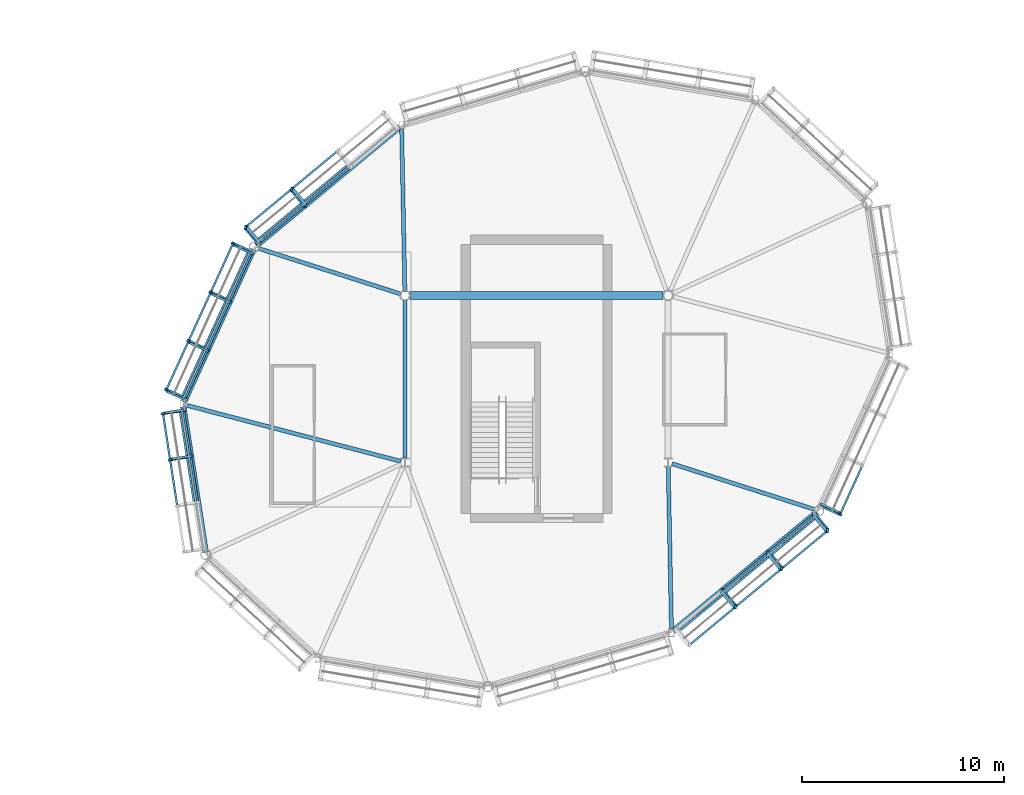
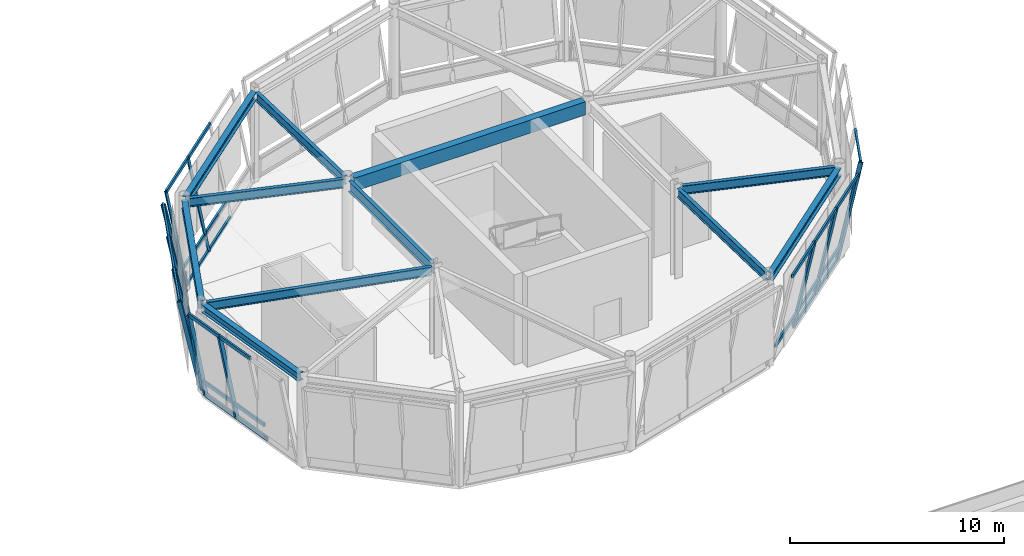
# One storey, part 54 of 90: 42 members, 11 beams, 5 elements without a shape of their own.
"""IFC4 building model written with IfcOpenShell, lengths in metres."""

from ifc_helpers import new_model, si_unit, direction, frame, origin, origin_2d, place, context, subcontext, project, spatial, rectangle, hollow_rectangle, i_section, extrude, material, material_profile, profile_set, type_object, element, aggregate, save


model = new_model("IFC4")

# Units and contexts
model_context = context("Model", 3, precision=1e-05, world=origin(), true_north=direction((0.0, 1.0)))
body_context = subcontext(model_context, "Body", "Model", "MODEL_VIEW")
ifc_project = project(units=[si_unit("LENGTHUNIT", "METRE"), si_unit("AREAUNIT", "SQUARE_METRE"), si_unit("VOLUMEUNIT", "CUBIC_METRE"), si_unit("PLANEANGLEUNIT", "RADIAN"), si_unit("MASSUNIT", "GRAM", prefix="KILO")], contexts=[model_context])

# Site, building, storey
site_placement = place(None, origin())
site = spatial("IfcSite", under=ifc_project, at=site_placement, CompositionType="ELEMENT")
building_placement = place(site_placement, origin())
building = spatial("IfcBuilding", under=site, at=building_placement, Name="Linyun Crest Stadium", CompositionType="ELEMENT")
storey_placement = place(building_placement, frame((0.0, 0.0, 21.0)))
storey = spatial("IfcBuildingStorey", under=building, at=storey_placement, Name="L05", CompositionType="ELEMENT", Elevation=21.0)

# Beams
ifc_material_1 = material(Name="Concrete C40", Category="concrete")
ifc_material_profile_1 = material_profile(ifc_material_1, rectangle(XDim=0.39990234375, YDim=0.75, at=origin_2d()), Name="RCB 750x400")
ifc_profile_set_1 = profile_set([ifc_material_profile_1], Name="Concrete C40")
beam_type_1 = type_object("IfcBeamType", Name="B03", PredefinedType="BEAM", material=ifc_profile_set_1)
beam_1_placement = place(storey_placement, frame((67.25390625, 88.75, 4.77490234375), z_axis=(1.0, 0.0, 0.0), x_axis=(0.0, 1.0, 0.0)))
element("IfcBeam", 1, at=beam_1_placement, inside=storey, type_object=beam_type_1, Name="Frame beam B03 L05 978", PredefinedType="BEAM", context=body_context, shape_type="SweptSolid", body=[
    extrude(rectangle(XDim=0.39990234375, YDim=0.75, at=origin_2d()), origin(), (0.0, 0.0, 1.0), 12.4921875),
])
ifc_material_2 = material(Name="Steel Q355C", Category="steel")
ifc_material_profile_2 = material_profile(ifc_material_2, i_section(OverallWidth=0.300048828125, OverallDepth=0.43994140625, WebThickness=0.010986328125, FlangeThickness=0.01806640625, at=origin_2d()), Name="HM 440x300")
ifc_profile_set_2 = profile_set([ifc_material_profile_2], Name="Steel Q355C")
beam_type_2 = type_object("IfcBeamType", Name="B07", PredefinedType="BEAM", material=ifc_profile_set_2)
beam_2_placement = place(storey_placement, frame((66.741943359375, 97.0859375, 4.929931640625), z_axis=(-0.770371409823, -0.637595397512, 0.0), x_axis=(0.637595397512, -0.770371409823, 0.0)))
element("IfcBeam", 2, at=beam_2_placement, inside=storey, type_object=beam_type_2, Name="Pod ring girder B07 L05 151", PredefinedType="BEAM", context=body_context, shape_type="SweptSolid", body=[
    extrude(i_section(OverallWidth=0.300048828125, OverallDepth=0.43994140625, WebThickness=0.010986328125, FlangeThickness=0.01806640625, at=origin_2d()), origin(), (0.0, 0.0, 1.0), 9.204833984375),
])
beam_3_placement = place(storey_placement, frame((59.509033203125, 91.031005859375, 4.929931640625), z_axis=(-0.41441702614, -0.910087099373, 0.0), x_axis=(0.910087099373, -0.41441702614, 0.0)))
element("IfcBeam", 3, at=beam_3_placement, inside=storey, type_object=beam_type_2, Name="Pod ring girder B07 L05 153", PredefinedType="BEAM", context=body_context, shape_type="SweptSolid", body=[
    extrude(i_section(OverallWidth=0.300048828125, OverallDepth=0.43994140625, WebThickness=0.010986328125, FlangeThickness=0.01806640625, at=origin_2d()), origin(), (0.0, 0.0, 1.0), 8.2958984375),
])
beam_4_placement = place(storey_placement, frame((56.0390625, 83.2529296875, 4.929931640625), z_axis=(0.152213453027, -0.988347643655, 0.0), x_axis=(0.988347643655, 0.152213453027, 0.0)))
element("IfcBeam", 4, at=beam_4_placement, inside=storey, type_object=beam_type_2, Name="Pod ring girder B07 L05 155", PredefinedType="BEAM", context=body_context, shape_type="SweptSolid", body=[
    extrude(i_section(OverallWidth=0.300048828125, OverallDepth=0.43994140625, WebThickness=0.010986328125, FlangeThickness=0.01806640625, at=origin_2d()), origin(), (0.0, 0.0, 1.0), 7.278564453125),
])
beam_5_placement = place(storey_placement, frame((80.258056640625, 72.1640625, 4.929931640625), z_axis=(0.770371409823, 0.637595397512, 0.0), x_axis=(-0.637595397512, 0.770371409823, 0.0)))
element("IfcBeam", 5, at=beam_5_placement, inside=storey, type_object=beam_type_2, Name="Pod ring girder B07 L05 163", PredefinedType="BEAM", context=body_context, shape_type="SweptSolid", body=[
    extrude(i_section(OverallWidth=0.300048828125, OverallDepth=0.43994140625, WebThickness=0.010986328125, FlangeThickness=0.01806640625, at=origin_2d()), origin(), (0.0, 0.0, 1.0), 9.204833984375),
])
ifc_material_3 = material(Name="Steel Q355C", Category="steel")
ifc_material_profile_3 = material_profile(ifc_material_3, i_section(OverallWidth=0.199951171875, OverallDepth=0.5, WebThickness=0.010009765625, FlangeThickness=0.01611328125, at=origin_2d()), Name="HN 500x200")
ifc_profile_set_3 = profile_set([ifc_material_profile_3], Name="Steel Q355C")
beam_type_3 = type_object("IfcBeamType", Name="B10", PredefinedType="BEAM", material=ifc_profile_set_3)
beam_6_placement = place(storey_placement, frame((66.99609375, 88.949951171875, 4.89990234375), z_axis=(-0.01978842746, 0.999804189899, 0.0), x_axis=(-0.999804189899, -0.01978842746, 0.0)))
element("IfcBeam", 6, at=beam_6_placement, inside=storey, type_object=beam_type_3, Name="Pod radial tie girder B10 L05 152", PredefinedType="BEAM", context=body_context, shape_type="SweptSolid", body=[
    extrude(i_section(OverallWidth=0.199951171875, OverallDepth=0.5, WebThickness=0.010009765625, FlangeThickness=0.01611328125, at=origin_2d()), origin(), (0.0, 0.0, 1.0), 7.99462890625),
])
beam_7_placement = place(storey_placement, frame((66.81005859375, 88.81103515625, 4.89990234375), z_axis=(-0.952088987816, 0.305821123011, 0.0), x_axis=(-0.305821123011, -0.952088987816, 0.0)))
element("IfcBeam", 7, at=beam_7_placement, inside=storey, type_object=beam_type_3, Name="Pod radial tie girder B10 L05 154", PredefinedType="BEAM", context=body_context, shape_type="SweptSolid", body=[
    extrude(i_section(OverallWidth=0.199951171875, OverallDepth=0.5, WebThickness=0.010009765625, FlangeThickness=0.01611328125, at=origin_2d()), origin(), (0.0, 0.0, 1.0), 7.396240234375),
])
beam_8_placement = place(storey_placement, frame((66.806884765625, 80.551025390625, 4.89990234375), z_axis=(-0.967466930693, 0.252997505948, 0.0), x_axis=(-0.252997505948, -0.967466930693, 0.0)))
element("IfcBeam", 8, at=beam_8_placement, inside=storey, type_object=beam_type_3, Name="Pod radial tie girder B10 L05 156", PredefinedType="BEAM", context=body_context, shape_type="SweptSolid", body=[
    extrude(i_section(OverallWidth=0.199951171875, OverallDepth=0.5, WebThickness=0.010009765625, FlangeThickness=0.01611328125, at=origin_2d()), origin(), (0.0, 0.0, 1.0), 10.928466796875),
])
beam_9_placement = place(storey_placement, frame((80.00390625, 80.300048828125, 4.89990234375), z_axis=(0.01978842746, -0.999804189899, 0.0), x_axis=(0.999804189899, 0.01978842746, 0.0)))
element("IfcBeam", 9, at=beam_9_placement, inside=storey, type_object=beam_type_3, Name="Pod radial tie girder B10 L05 164", PredefinedType="BEAM", context=body_context, shape_type="SweptSolid", body=[
    extrude(i_section(OverallWidth=0.199951171875, OverallDepth=0.5, WebThickness=0.010009765625, FlangeThickness=0.01611328125, at=origin_2d()), origin(), (0.0, 0.0, 1.0), 7.99462890625),
])
beam_10_placement = place(storey_placement, frame((80.18994140625, 80.43896484375, 4.89990234375), z_axis=(0.952088987816, -0.305821123011, 0.0), x_axis=(0.305821123011, 0.952088987816, 0.0)))
element("IfcBeam", 10, at=beam_10_placement, inside=storey, type_object=beam_type_3, Name="Pod radial tie girder B10 L05 166", PredefinedType="BEAM", context=body_context, shape_type="SweptSolid", body=[
    extrude(i_section(OverallWidth=0.199951171875, OverallDepth=0.5, WebThickness=0.010009765625, FlangeThickness=0.01611328125, at=origin_2d()), origin(), (0.0, 0.0, 1.0), 7.396240234375),
])
ifc_material_4 = material(Name="Steel Q355C", Category="steel")
ifc_material_profile_4 = material_profile(ifc_material_4, i_section(OverallWidth=0.199951171875, OverallDepth=0.60009765625, WebThickness=0.010986328125, FlangeThickness=0.01708984375, at=origin_2d()), Name="HN 600x200")
ifc_profile_set_4 = profile_set([ifc_material_profile_4], Name="Steel Q355C")
beam_type_4 = type_object("IfcBeamType", Name="B11", PredefinedType="BEAM", material=ifc_profile_set_4)
beam_11_placement = place(storey_placement, frame((67.0, 80.714111328125, 4.85009765625), z_axis=(0.0, 1.0, 0.0), x_axis=(-1.0, 0.0, 0.0)))
element("IfcBeam", 11, at=beam_11_placement, inside=storey, type_object=beam_type_4, Name="Frame beam B11 L05 981", PredefinedType="BEAM", context=body_context, shape_type="SweptSolid", body=[
    extrude(i_section(OverallWidth=0.199951171875, OverallDepth=0.60009765625, WebThickness=0.010986328125, FlangeThickness=0.01708984375, at=origin_2d()), origin(), (0.0, 0.0, 1.0), 7.781982421875),
])

# Curtain wall, members
ifc_material_5 = material(Name="Verdigris steel and low-E curtain wall assembly", Category="steel")
curtain_wall_type = type_object("IfcCurtainWallType", Name="MCW04", PredefinedType="NOTDEFINED", material=ifc_material_5)
curtain_wall_1_placement = place(storey_placement, origin())
curtain_wall_1 = element("IfcCurtainWall", 12, at=curtain_wall_1_placement, inside=storey, type_object=curtain_wall_type, Name="CWR-052", PredefinedType="NOTDEFINED")
ifc_material_6 = material(Name="Verdigris painted steel Q355C pod mullion", Category="steel")
ifc_material_profile_5 = material_profile(ifc_material_6, hollow_rectangle(XDim=0.1201171875, YDim=0.219970703125, WallThickness=0.008056640625, at=origin_2d()), Name="RHS 220x120x8")
ifc_profile_set_5 = profile_set([ifc_material_profile_5], Name="Verdigris painted steel Q355C pod mullion")
member_type_1 = type_object("IfcMemberType", Name="ML04", PredefinedType="MULLION", material=ifc_profile_set_5)
member_1_placement = place(storey_placement, frame((62.06103515625, 93.2109375, 0.0), z_axis=(-0.127228985463, 0.153563636115, 0.979913769125), x_axis=(-0.972618583127, 0.174402528684, -0.153612661409)))
member_1 = element("IfcMember", 13, at=member_1_placement, type_object=member_type_1, Name="CWR-052 mullion 3", PredefinedType="MULLION", context=body_context, shape_type="SweptSolid", body=[
    extrude(hollow_rectangle(XDim=0.1201171875, YDim=0.219970703125, WallThickness=0.008056640625, at=origin_2d()), origin(), (0.0, 0.0, 1.0), 5.163818359375),
])
member_2_placement = place(storey_placement, frame((59.7900390625, 91.3310546875, 0.0), z_axis=(-0.127228985463, 0.153563636115, 0.979913769125), x_axis=(-0.972618583127, 0.174402528684, -0.153612661409)))
member_2 = element("IfcMember", 14, at=member_2_placement, type_object=member_type_1, Name="CWR-052 mullion 4", PredefinedType="MULLION", context=body_context, shape_type="SweptSolid", body=[
    extrude(hollow_rectangle(XDim=0.1201171875, YDim=0.219970703125, WallThickness=0.008056640625, at=origin_2d()), origin(), (0.0, 0.0, 1.0), 5.163818359375),
])

curtain_wall_2_placement = place(storey_placement, origin())
curtain_wall_2 = element("IfcCurtainWall", 15, at=curtain_wall_2_placement, inside=storey, type_object=curtain_wall_type, Name="CWR-053", PredefinedType="NOTDEFINED")
member_3_placement = place(storey_placement, frame((59.43505859375, 90.866943359375, 0.0), z_axis=(-0.181458861331, 0.08269190945, 0.979915674819), x_axis=(-0.747008040281, -0.659655798184, -0.082663266794)))
member_3 = element("IfcMember", 16, at=member_3_placement, type_object=member_type_1, Name="CWR-053 mullion 1", PredefinedType="MULLION", context=body_context, shape_type="SweptSolid", body=[
    extrude(hollow_rectangle(XDim=0.1201171875, YDim=0.219970703125, WallThickness=0.008056640625, at=origin_2d()), origin(), (0.0, 0.0, 1.0), 5.163818359375),
])
member_4_placement = place(storey_placement, frame((58.337890625, 88.4599609375, 0.0), z_axis=(-0.181461695905, 0.082504080082, 0.979930982105), x_axis=(-0.746444035953, -0.66029784239, -0.082632079273)))
member_4 = element("IfcMember", 17, at=member_4_placement, type_object=member_type_1, Name="CWR-053 mullion 2", PredefinedType="MULLION", context=body_context, shape_type="SweptSolid", body=[
    extrude(hollow_rectangle(XDim=0.1201171875, YDim=0.219970703125, WallThickness=0.008056640625, at=origin_2d()), origin(), (0.0, 0.0, 1.0), 5.16357421875),
])
member_5_placement = place(storey_placement, frame((57.241943359375, 86.052001953125, 0.0), z_axis=(-0.181458861331, 0.08269190945, 0.979915674819), x_axis=(-0.747008040281, -0.659655798184, -0.082663266794)))
member_5 = element("IfcMember", 18, at=member_5_placement, type_object=member_type_1, Name="CWR-053 mullion 3", PredefinedType="MULLION", context=body_context, shape_type="SweptSolid", body=[
    extrude(hollow_rectangle(XDim=0.1201171875, YDim=0.219970703125, WallThickness=0.008056640625, at=origin_2d()), origin(), (0.0, 0.0, 1.0), 5.163818359375),
])
member_6_placement = place(storey_placement, frame((56.14501953125, 83.64501953125, 0.0), z_axis=(-0.181458861331, 0.08269190945, 0.979915674819), x_axis=(-0.747008040281, -0.659655798184, -0.082663266794)))
member_6 = element("IfcMember", 19, at=member_6_placement, type_object=member_type_1, Name="CWR-053 mullion 4", PredefinedType="MULLION", context=body_context, shape_type="SweptSolid", body=[
    extrude(hollow_rectangle(XDim=0.1201171875, YDim=0.219970703125, WallThickness=0.008056640625, at=origin_2d()), origin(), (0.0, 0.0, 1.0), 5.163818359375),
])

curtain_wall_3_placement = place(storey_placement, origin())
curtain_wall_3 = element("IfcCurtainWall", 20, at=curtain_wall_3_placement, inside=storey, type_object=curtain_wall_type, Name="CWR-054", PredefinedType="NOTDEFINED")
member_7_placement = place(storey_placement, frame((56.06689453125, 83.074951171875, 0.0), z_axis=(-0.196925558343, -0.030401712849, 0.97994696812), x_axis=(0.298126026527, -0.954045105123, 0.030311873873)))
member_7 = element("IfcMember", 21, at=member_7_placement, type_object=member_type_1, Name="CWR-054 mullion 1", PredefinedType="MULLION", context=body_context, shape_type="SweptSolid", body=[
    extrude(hollow_rectangle(XDim=0.1201171875, YDim=0.219970703125, WallThickness=0.008056640625, at=origin_2d()), origin(), (0.0, 0.0, 1.0), 5.16357421875),
])
member_8_placement = place(storey_placement, frame((56.41796875, 80.7958984375, 0.0), z_axis=(-0.197152779984, -0.03040029677, 0.979901323247), x_axis=(0.297946662121, -0.954100050656, 0.030346002532)))
member_8 = element("IfcMember", 22, at=member_8_placement, type_object=member_type_1, Name="CWR-054 mullion 2", PredefinedType="MULLION", context=body_context, shape_type="SweptSolid", body=[
    extrude(hollow_rectangle(XDim=0.1201171875, YDim=0.219970703125, WallThickness=0.008056640625, at=origin_2d()), origin(), (0.0, 0.0, 1.0), 5.163818359375),
])

curtain_wall_4_placement = place(storey_placement, origin())
curtain_wall_4 = element("IfcCurtainWall", 23, at=curtain_wall_4_placement, inside=storey, type_object=curtain_wall_type, Name="CWR-058", PredefinedType="NOTDEFINED")
member_9_placement = place(storey_placement, frame((82.66796875, 74.157958984375, 0.0), z_axis=(0.127228985463, -0.153563636115, 0.979913769125), x_axis=(-0.972618583127, 0.174402528684, 0.153612661409)))
member_9 = element("IfcMember", 24, at=member_9_placement, type_object=member_type_1, Name="CWR-058 mullion 2", PredefinedType="MULLION", context=body_context, shape_type="SweptSolid", body=[
    extrude(hollow_rectangle(XDim=0.1201171875, YDim=0.219970703125, WallThickness=0.008056640625, at=origin_2d()), origin(), (0.0, 0.0, 1.0), 5.163818359375),
])
member_10_placement = place(storey_placement, frame((84.93896484375, 76.0390625, 0.0), z_axis=(0.127228985463, -0.153563636115, 0.979913769125), x_axis=(-0.972618583127, 0.174402528684, 0.153612661409)))
member_10 = element("IfcMember", 25, at=member_10_placement, type_object=member_type_1, Name="CWR-058 mullion 3", PredefinedType="MULLION", context=body_context, shape_type="SweptSolid", body=[
    extrude(hollow_rectangle(XDim=0.1201171875, YDim=0.219970703125, WallThickness=0.008056640625, at=origin_2d()), origin(), (0.0, 0.0, 1.0), 5.163818359375),
])
member_11_placement = place(storey_placement, frame((87.2099609375, 77.9189453125, 0.0), z_axis=(0.127228985463, -0.153563636115, 0.979913769125), x_axis=(-0.972618583127, 0.174402528684, 0.153612661409)))
member_11 = element("IfcMember", 26, at=member_11_placement, type_object=member_type_1, Name="CWR-058 mullion 4", PredefinedType="MULLION", context=body_context, shape_type="SweptSolid", body=[
    extrude(hollow_rectangle(XDim=0.1201171875, YDim=0.219970703125, WallThickness=0.008056640625, at=origin_2d()), origin(), (0.0, 0.0, 1.0), 5.163818359375),
])

# Curtain wall, member
curtain_wall_5_placement = place(storey_placement, origin())
curtain_wall_5 = element("IfcCurtainWall", 27, at=curtain_wall_5_placement, inside=storey, type_object=curtain_wall_type, Name="CWR-059", PredefinedType="NOTDEFINED")
member_12_placement = place(storey_placement, frame((87.56494140625, 78.383056640625, 0.0), z_axis=(0.181458861331, -0.08269190945, 0.979915674819), x_axis=(-0.747008040281, -0.659655798184, 0.082663266794)))
member_12 = element("IfcMember", 28, at=member_12_placement, type_object=member_type_1, Name="CWR-059 mullion 1", PredefinedType="MULLION", context=body_context, shape_type="SweptSolid", body=[
    extrude(hollow_rectangle(XDim=0.1201171875, YDim=0.219970703125, WallThickness=0.008056640625, at=origin_2d()), origin(), (0.0, 0.0, 1.0), 5.163818359375),
])

# Member
ifc_material_7 = material(Name="Verdigris painted steel Q355C transom", Category="steel")
ifc_material_profile_6 = material_profile(ifc_material_7, hollow_rectangle(XDim=0.10009765625, YDim=0.199951171875, WallThickness=0.008056640625, at=origin_2d()), Name="RHS 200x100x8")
ifc_profile_set_6 = profile_set([ifc_material_profile_6], Name="Verdigris painted steel Q355C transom")
member_type_2 = type_object("IfcMemberType", Name="TR03", PredefinedType="USERDEFINED", material=ifc_profile_set_6)
member_13_placement = place(storey_placement, frame((64.33203125, 95.092041015625, 0.0), z_axis=(-0.770118007544, -0.637901445724, 0.0), x_axis=(0.637901445724, -0.770118007544, 0.0)))
member_13 = element("IfcMember", 29, at=member_13_placement, type_object=member_type_2, Name="CWR-052 transom 2.1", ObjectType="TRANSOM", PredefinedType="USERDEFINED", context=body_context, shape_type="SweptSolid", body=[
    extrude(hollow_rectangle(XDim=0.10009765625, YDim=0.199951171875, WallThickness=0.008056640625, at=origin_2d()), origin(), (0.0, 0.0, 1.0), 2.948974609375),
])

member_14_placement = place(storey_placement, frame((64.215087890625, 95.23291015625, 0.89990234375), z_axis=(-0.770158679778, -0.63785234025, 0.0), x_axis=(0.63785234025, -0.770158679778, 0.0)))
member_14 = element("IfcMember", 30, at=member_14_placement, type_object=member_type_2, Name="CWR-052 transom 2.2", ObjectType="TRANSOM", PredefinedType="USERDEFINED", context=body_context, shape_type="SweptSolid", body=[
    extrude(hollow_rectangle(XDim=0.10009765625, YDim=0.199951171875, WallThickness=0.008056640625, at=origin_2d()), origin(), (0.0, 0.0, 1.0), 2.94873046875),
])

member_15_placement = place(storey_placement, frame((63.675048828125, 95.885009765625, 5.06005859375), z_axis=(-0.770118007544, -0.637901445724, 0.0), x_axis=(0.637901445724, -0.770118007544, 0.0)))
member_15 = element("IfcMember", 31, at=member_15_placement, type_object=member_type_2, Name="CWR-052 transom 2.3", ObjectType="TRANSOM", PredefinedType="USERDEFINED", context=body_context, shape_type="SweptSolid", body=[
    extrude(hollow_rectangle(XDim=0.10009765625, YDim=0.199951171875, WallThickness=0.008056640625, at=origin_2d()), origin(), (0.0, 0.0, 1.0), 2.948974609375),
])

member_16_placement = place(storey_placement, frame((62.06103515625, 93.2109375, 0.0), z_axis=(-0.770321380351, -0.63765584054, 0.0), x_axis=(0.63765584054, -0.770321380351, 0.0)))
member_16 = element("IfcMember", 32, at=member_16_placement, type_object=member_type_2, Name="CWR-052 transom 3.1", ObjectType="TRANSOM", PredefinedType="USERDEFINED", context=body_context, shape_type="SweptSolid", body=[
    extrude(hollow_rectangle(XDim=0.10009765625, YDim=0.199951171875, WallThickness=0.008056640625, at=origin_2d()), origin(), (0.0, 0.0, 1.0), 2.947998046875),
])

member_17_placement = place(storey_placement, frame((61.944091796875, 93.35205078125, 0.89990234375), z_axis=(-0.770280703464, -0.637704977142, 0.0), x_axis=(0.637704977142, -0.770280703464, 0.0)))
member_17 = element("IfcMember", 33, at=member_17_placement, type_object=member_type_2, Name="CWR-052 transom 3.2", ObjectType="TRANSOM", PredefinedType="USERDEFINED", context=body_context, shape_type="SweptSolid", body=[
    extrude(hollow_rectangle(XDim=0.10009765625, YDim=0.199951171875, WallThickness=0.008056640625, at=origin_2d()), origin(), (0.0, 0.0, 1.0), 2.9482421875),
])

member_18_placement = place(storey_placement, frame((61.404052734375, 94.00390625, 5.06005859375), z_axis=(-0.770321380351, -0.63765584054, 0.0), x_axis=(0.63765584054, -0.770321380351, 0.0)))
member_18 = element("IfcMember", 34, at=member_18_placement, type_object=member_type_2, Name="CWR-052 transom 3.3", ObjectType="TRANSOM", PredefinedType="USERDEFINED", context=body_context, shape_type="SweptSolid", body=[
    extrude(hollow_rectangle(XDim=0.10009765625, YDim=0.199951171875, WallThickness=0.008056640625, at=origin_2d()), origin(), (0.0, 0.0, 1.0), 2.947998046875),
])

aggregate(curtain_wall_1, [member_1, member_2, member_13, member_14, member_15, member_16, member_17, member_18])

member_19_placement = place(storey_placement, frame((59.43505859375, 90.866943359375, 0.0), z_axis=(-0.414769269545, -0.909926619591, 0.0), x_axis=(0.909926619591, -0.414769269545, 0.0)))
member_19 = element("IfcMember", 35, at=member_19_placement, type_object=member_type_2, Name="CWR-053 transom 1.1", ObjectType="TRANSOM", PredefinedType="USERDEFINED", context=body_context, shape_type="SweptSolid", body=[
    extrude(hollow_rectangle(XDim=0.10009765625, YDim=0.199951171875, WallThickness=0.008056640625, at=origin_2d()), origin(), (0.0, 0.0, 1.0), 2.645263671875),
])

member_20_placement = place(storey_placement, frame((59.26806640625, 90.943115234375, 0.89990234375), z_axis=(-0.414352266897, -0.910116585343, 0.0), x_axis=(0.910116585343, -0.414352266897, 0.0)))
member_20 = element("IfcMember", 36, at=member_20_placement, type_object=member_type_2, Name="CWR-053 transom 1.2", ObjectType="TRANSOM", PredefinedType="USERDEFINED", context=body_context, shape_type="SweptSolid", body=[
    extrude(hollow_rectangle(XDim=0.10009765625, YDim=0.199951171875, WallThickness=0.008056640625, at=origin_2d()), origin(), (0.0, 0.0, 1.0), 2.64501953125),
])

member_21_placement = place(storey_placement, frame((58.498046875, 91.2939453125, 5.06005859375), z_axis=(-0.414629980899, -0.909990098265, 0.0), x_axis=(0.909990098265, -0.414629980899, 0.0)))
member_21 = element("IfcMember", 37, at=member_21_placement, type_object=member_type_2, Name="CWR-053 transom 1.3", ObjectType="TRANSOM", PredefinedType="USERDEFINED", context=body_context, shape_type="SweptSolid", body=[
    extrude(hollow_rectangle(XDim=0.10009765625, YDim=0.199951171875, WallThickness=0.008056640625, at=origin_2d()), origin(), (0.0, 0.0, 1.0), 2.646240234375),
])

member_22_placement = place(storey_placement, frame((58.337890625, 88.4599609375, 0.0), z_axis=(-0.414247864609, -0.910164109744, 0.0), x_axis=(0.910164109744, -0.414247864609, 0.0)))
member_22 = element("IfcMember", 38, at=member_22_placement, type_object=member_type_2, Name="CWR-053 transom 2.1", ObjectType="TRANSOM", PredefinedType="USERDEFINED", context=body_context, shape_type="SweptSolid", body=[
    extrude(hollow_rectangle(XDim=0.10009765625, YDim=0.199951171875, WallThickness=0.008056640625, at=origin_2d()), origin(), (0.0, 0.0, 1.0), 2.645751953125),
])

member_23_placement = place(storey_placement, frame((58.172119140625, 88.535888671875, 0.89990234375), z_axis=(-0.414629980899, -0.909990098265, 0.0), x_axis=(0.909990098265, -0.414629980899, 0.0)))
member_23 = element("IfcMember", 39, at=member_23_placement, type_object=member_type_2, Name="CWR-053 transom 2.2", ObjectType="TRANSOM", PredefinedType="USERDEFINED", context=body_context, shape_type="SweptSolid", body=[
    extrude(hollow_rectangle(XDim=0.10009765625, YDim=0.199951171875, WallThickness=0.008056640625, at=origin_2d()), origin(), (0.0, 0.0, 1.0), 2.646240234375),
])

member_24_placement = place(storey_placement, frame((57.40087890625, 88.885986328125, 5.06005859375), z_axis=(-0.414387078143, -0.91010073589, 0.0), x_axis=(0.91010073589, -0.414387078143, 0.0)))
member_24 = element("IfcMember", 40, at=member_24_placement, type_object=member_type_2, Name="CWR-053 transom 2.3", ObjectType="TRANSOM", PredefinedType="USERDEFINED", context=body_context, shape_type="SweptSolid", body=[
    extrude(hollow_rectangle(XDim=0.10009765625, YDim=0.199951171875, WallThickness=0.008056640625, at=origin_2d()), origin(), (0.0, 0.0, 1.0), 2.644775390625),
])

member_25_placement = place(storey_placement, frame((57.241943359375, 86.052001953125, 0.0), z_axis=(-0.414692848815, -0.90996145036, 0.0), x_axis=(0.90996145036, -0.414692848815, 0.0)))
member_25 = element("IfcMember", 41, at=member_25_placement, type_object=member_type_2, Name="CWR-053 transom 3.1", ObjectType="TRANSOM", PredefinedType="USERDEFINED", context=body_context, shape_type="SweptSolid", body=[
    extrude(hollow_rectangle(XDim=0.10009765625, YDim=0.199951171875, WallThickness=0.008056640625, at=origin_2d()), origin(), (0.0, 0.0, 1.0), 2.645263671875),
])

member_26_placement = place(storey_placement, frame((57.074951171875, 86.1279296875, 0.89990234375), z_axis=(-0.414692848815, -0.90996145036, 0.0), x_axis=(0.90996145036, -0.414692848815, 0.0)))
member_26 = element("IfcMember", 42, at=member_26_placement, type_object=member_type_2, Name="CWR-053 transom 3.2", ObjectType="TRANSOM", PredefinedType="USERDEFINED", context=body_context, shape_type="SweptSolid", body=[
    extrude(hollow_rectangle(XDim=0.10009765625, YDim=0.199951171875, WallThickness=0.008056640625, at=origin_2d()), origin(), (0.0, 0.0, 1.0), 2.645263671875),
])

member_27_placement = place(storey_placement, frame((56.304931640625, 86.47900390625, 5.06005859375), z_axis=(-0.414692848815, -0.90996145036, 0.0), x_axis=(0.90996145036, -0.414692848815, 0.0)))
member_27 = element("IfcMember", 43, at=member_27_placement, type_object=member_type_2, Name="CWR-053 transom 3.3", ObjectType="TRANSOM", PredefinedType="USERDEFINED", context=body_context, shape_type="SweptSolid", body=[
    extrude(hollow_rectangle(XDim=0.10009765625, YDim=0.199951171875, WallThickness=0.008056640625, at=origin_2d()), origin(), (0.0, 0.0, 1.0), 2.645263671875),
])

aggregate(curtain_wall_2, [member_3, member_4, member_5, member_6, member_19, member_20, member_21, member_22, member_23, member_24, member_25, member_26, member_27])

member_28_placement = place(storey_placement, frame((56.06689453125, 83.074951171875, 0.0), z_axis=(0.152248123454, -0.988342303509, 0.0), x_axis=(0.988342303509, 0.152248123454, 0.0)))
member_28 = element("IfcMember", 44, at=member_28_placement, type_object=member_type_2, Name="CWR-054 transom 1.1", ObjectType="TRANSOM", PredefinedType="USERDEFINED", context=body_context, shape_type="SweptSolid", body=[
    extrude(hollow_rectangle(XDim=0.10009765625, YDim=0.199951171875, WallThickness=0.008056640625, at=origin_2d()), origin(), (0.0, 0.0, 1.0), 2.305908203125),
])

member_29_placement = place(storey_placement, frame((55.885986328125, 83.047119140625, 0.89990234375), z_axis=(0.152248123454, -0.988342303509, 0.0), x_axis=(0.988342303509, 0.152248123454, 0.0)))
member_29 = element("IfcMember", 45, at=member_29_placement, type_object=member_type_2, Name="CWR-054 transom 1.2", ObjectType="TRANSOM", PredefinedType="USERDEFINED", context=body_context, shape_type="SweptSolid", body=[
    extrude(hollow_rectangle(XDim=0.10009765625, YDim=0.199951171875, WallThickness=0.008056640625, at=origin_2d()), origin(), (0.0, 0.0, 1.0), 2.305908203125),
])

member_30_placement = place(storey_placement, frame((55.050048828125, 82.91796875, 5.06005859375), z_axis=(0.151730957076, -0.988421831338, 0.0), x_axis=(0.988421831338, 0.151730957076, 0.0)))
member_30 = element("IfcMember", 46, at=member_30_placement, type_object=member_type_2, Name="CWR-054 transom 1.3", ObjectType="TRANSOM", PredefinedType="USERDEFINED", context=body_context, shape_type="SweptSolid", body=[
    extrude(hollow_rectangle(XDim=0.10009765625, YDim=0.199951171875, WallThickness=0.008056640625, at=origin_2d()), origin(), (0.0, 0.0, 1.0), 2.3056640625),
])

member_31_placement = place(storey_placement, frame((56.41796875, 80.7958984375, 0.0), z_axis=(0.15178674483, -0.988413265843, 0.0), x_axis=(0.988413265843, 0.15178674483, 0.0)))
member_31 = element("IfcMember", 47, at=member_31_placement, type_object=member_type_2, Name="CWR-054 transom 2.1", ObjectType="TRANSOM", PredefinedType="USERDEFINED", context=body_context, shape_type="SweptSolid", body=[
    extrude(hollow_rectangle(XDim=0.10009765625, YDim=0.199951171875, WallThickness=0.008056640625, at=origin_2d()), origin(), (0.0, 0.0, 1.0), 2.306396484375),
])

member_32_placement = place(storey_placement, frame((56.237060546875, 80.76806640625, 0.89990234375), z_axis=(0.151667464216, -0.988431575931, 0.0), x_axis=(0.988431575931, 0.151667464216, 0.0)))
member_32 = element("IfcMember", 48, at=member_32_placement, type_object=member_type_2, Name="CWR-054 transom 2.2", ObjectType="TRANSOM", PredefinedType="USERDEFINED", context=body_context, shape_type="SweptSolid", body=[
    extrude(hollow_rectangle(XDim=0.10009765625, YDim=0.199951171875, WallThickness=0.008056640625, at=origin_2d()), origin(), (0.0, 0.0, 1.0), 2.306640625),
])

member_33_placement = place(storey_placement, frame((55.39990234375, 80.638916015625, 5.06005859375), z_axis=(0.152264056445, -0.988339848997, 0.0), x_axis=(0.988339848997, 0.152264056445, 0.0)))
member_33 = element("IfcMember", 49, at=member_33_placement, type_object=member_type_2, Name="CWR-054 transom 2.3", ObjectType="TRANSOM", PredefinedType="USERDEFINED", context=body_context, shape_type="SweptSolid", body=[
    extrude(hollow_rectangle(XDim=0.10009765625, YDim=0.199951171875, WallThickness=0.008056640625, at=origin_2d()), origin(), (0.0, 0.0, 1.0), 2.3056640625),
])

aggregate(curtain_wall_3, [member_7, member_8, member_28, member_29, member_30, member_31, member_32, member_33])

member_34_placement = place(storey_placement, frame((80.513916015625, 72.136962890625, 0.89990234375), z_axis=(0.770280703464, 0.637704977142, 0.0), x_axis=(-0.637704977142, 0.770280703464, 0.0)))
member_34 = element("IfcMember", 50, at=member_34_placement, type_object=member_type_2, Name="CWR-058 transom 1.2", ObjectType="TRANSOM", PredefinedType="USERDEFINED", context=body_context, shape_type="SweptSolid", body=[
    extrude(hollow_rectangle(XDim=0.10009765625, YDim=0.199951171875, WallThickness=0.008056640625, at=origin_2d()), origin(), (0.0, 0.0, 1.0), 2.9482421875),
])

member_35_placement = place(storey_placement, frame((81.053955078125, 71.485107421875, 5.06005859375), z_axis=(0.770321380351, 0.63765584054, 0.0), x_axis=(-0.63765584054, 0.770321380351, 0.0)))
member_35 = element("IfcMember", 51, at=member_35_placement, type_object=member_type_2, Name="CWR-058 transom 1.3", ObjectType="TRANSOM", PredefinedType="USERDEFINED", context=body_context, shape_type="SweptSolid", body=[
    extrude(hollow_rectangle(XDim=0.10009765625, YDim=0.199951171875, WallThickness=0.008056640625, at=origin_2d()), origin(), (0.0, 0.0, 1.0), 2.947998046875),
])

member_36_placement = place(storey_placement, frame((82.66796875, 74.157958984375, 0.0), z_axis=(0.770118007544, 0.637901445724, 0.0), x_axis=(-0.637901445724, 0.770118007544, 0.0)))
member_36 = element("IfcMember", 52, at=member_36_placement, type_object=member_type_2, Name="CWR-058 transom 2.1", ObjectType="TRANSOM", PredefinedType="USERDEFINED", context=body_context, shape_type="SweptSolid", body=[
    extrude(hollow_rectangle(XDim=0.10009765625, YDim=0.199951171875, WallThickness=0.008056640625, at=origin_2d()), origin(), (0.0, 0.0, 1.0), 2.948974609375),
])

member_37_placement = place(storey_placement, frame((82.784912109375, 74.01708984375, 0.89990234375), z_axis=(0.770158679778, 0.63785234025, 0.0), x_axis=(-0.63785234025, 0.770158679778, 0.0)))
member_37 = element("IfcMember", 53, at=member_37_placement, type_object=member_type_2, Name="CWR-058 transom 2.2", ObjectType="TRANSOM", PredefinedType="USERDEFINED", context=body_context, shape_type="SweptSolid", body=[
    extrude(hollow_rectangle(XDim=0.10009765625, YDim=0.199951171875, WallThickness=0.008056640625, at=origin_2d()), origin(), (0.0, 0.0, 1.0), 2.94873046875),
])

member_38_placement = place(storey_placement, frame((83.324951171875, 73.364990234375, 5.06005859375), z_axis=(0.770118007544, 0.637901445724, 0.0), x_axis=(-0.637901445724, 0.770118007544, 0.0)))
member_38 = element("IfcMember", 54, at=member_38_placement, type_object=member_type_2, Name="CWR-058 transom 2.3", ObjectType="TRANSOM", PredefinedType="USERDEFINED", context=body_context, shape_type="SweptSolid", body=[
    extrude(hollow_rectangle(XDim=0.10009765625, YDim=0.199951171875, WallThickness=0.008056640625, at=origin_2d()), origin(), (0.0, 0.0, 1.0), 2.948974609375),
])

member_39_placement = place(storey_placement, frame((84.93896484375, 76.0390625, 0.0), z_axis=(0.770321380351, 0.63765584054, 0.0), x_axis=(-0.63765584054, 0.770321380351, 0.0)))
member_39 = element("IfcMember", 55, at=member_39_placement, type_object=member_type_2, Name="CWR-058 transom 3.1", ObjectType="TRANSOM", PredefinedType="USERDEFINED", context=body_context, shape_type="SweptSolid", body=[
    extrude(hollow_rectangle(XDim=0.10009765625, YDim=0.199951171875, WallThickness=0.008056640625, at=origin_2d()), origin(), (0.0, 0.0, 1.0), 2.947998046875),
])

member_40_placement = place(storey_placement, frame((85.055908203125, 75.89794921875, 0.89990234375), z_axis=(0.770280703464, 0.637704977142, 0.0), x_axis=(-0.637704977142, 0.770280703464, 0.0)))
member_40 = element("IfcMember", 56, at=member_40_placement, type_object=member_type_2, Name="CWR-058 transom 3.2", ObjectType="TRANSOM", PredefinedType="USERDEFINED", context=body_context, shape_type="SweptSolid", body=[
    extrude(hollow_rectangle(XDim=0.10009765625, YDim=0.199951171875, WallThickness=0.008056640625, at=origin_2d()), origin(), (0.0, 0.0, 1.0), 2.9482421875),
])

member_41_placement = place(storey_placement, frame((85.595947265625, 75.24609375, 5.06005859375), z_axis=(0.770321380351, 0.63765584054, 0.0), x_axis=(-0.63765584054, 0.770321380351, 0.0)))
member_41 = element("IfcMember", 57, at=member_41_placement, type_object=member_type_2, Name="CWR-058 transom 3.3", ObjectType="TRANSOM", PredefinedType="USERDEFINED", context=body_context, shape_type="SweptSolid", body=[
    extrude(hollow_rectangle(XDim=0.10009765625, YDim=0.199951171875, WallThickness=0.008056640625, at=origin_2d()), origin(), (0.0, 0.0, 1.0), 2.947998046875),
])

aggregate(curtain_wall_4, [member_9, member_10, member_11, member_34, member_35, member_36, member_37, member_38, member_39, member_40, member_41])

member_42_placement = place(storey_placement, frame((88.501953125, 77.9560546875, 5.06005859375), z_axis=(0.414629980899, 0.909990098265, 0.0), x_axis=(-0.909990098265, 0.414629980899, 0.0)))
member_42 = element("IfcMember", 58, at=member_42_placement, type_object=member_type_2, Name="CWR-059 transom 1.3", ObjectType="TRANSOM", PredefinedType="USERDEFINED", context=body_context, shape_type="SweptSolid", body=[
    extrude(hollow_rectangle(XDim=0.10009765625, YDim=0.199951171875, WallThickness=0.008056640625, at=origin_2d()), origin(), (0.0, 0.0, 1.0), 2.646240234375),
])

aggregate(curtain_wall_5, [member_12, member_42])

save(model, "model.ifc")
